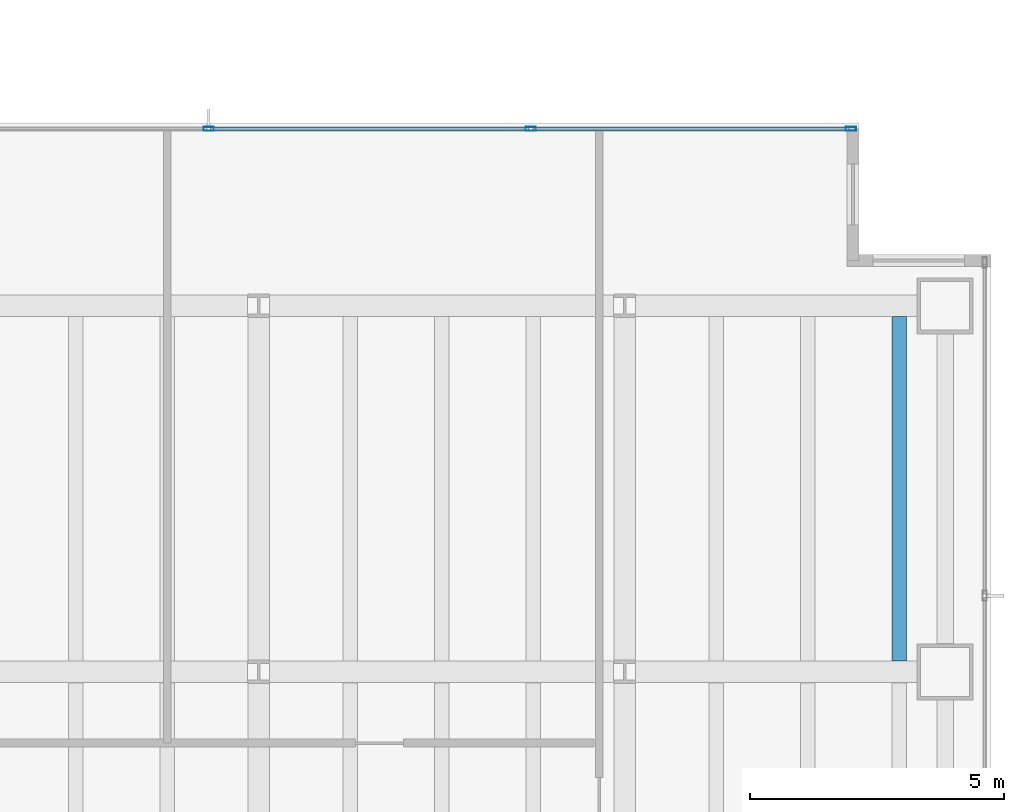
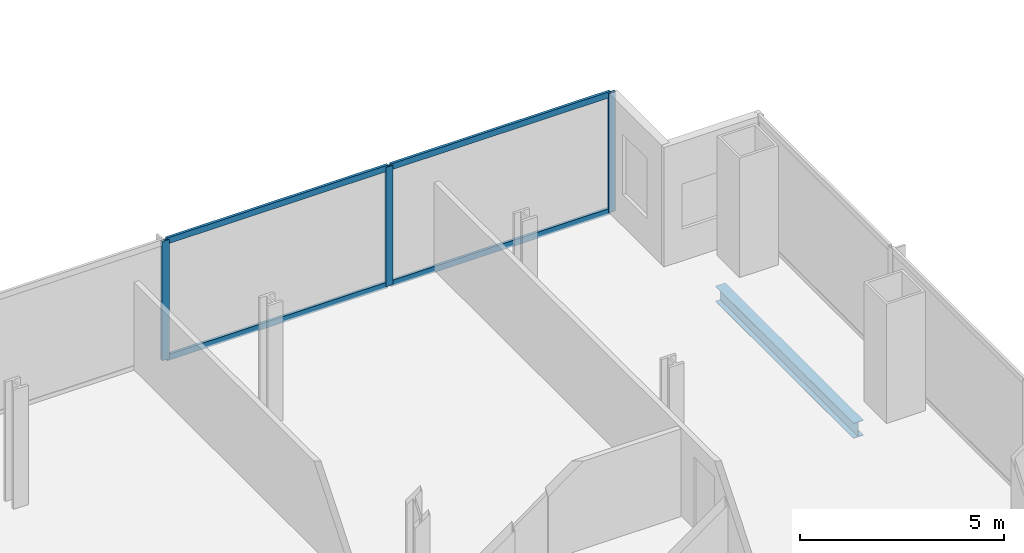
# One storey, part 12 of 25: 7 members, 1 beam, 1 element without a shape of its own.
"""IFC4 building model written with IfcOpenShell, lengths in metres."""

import ifcopenshell
import ifcopenshell.guid

model = None  # the IFC model being written
_history = None  # IfcOwnerHistory: only IFC2X3 demands one
_inside = {}  # id of a spatial element -> (the spatial element, [elements in it])
_under = {}  # id of a project, library or spatial element -> (it, [spatial elements below it])
_declared = {}  # id of a project -> (the project, [libraries it declares])
_typed = {}  # id of a type object -> (the type object, [elements of that type])
_made_of = {}  # id of a material, layer set ... -> (it, [elements and type objects made of it])


def new_model(schema):
    """Start an empty IFC model of exactly this schema.

    Asked for "IFC4X3", IfcOpenShell would pick the latest addendum, in which some entities
    have other attributes; the version numbers below select the first issue.
    IFC2X3 requires an IfcOwnerHistory on every rooted entity: one is made here for all.
    """
    global model, _history
    if schema == "IFC4X3":
        model = ifcopenshell.file(schema_version=(4, 3, 0, 0))
    else:
        model = ifcopenshell.file(schema=schema)
    _inside.clear()
    _under.clear()
    _declared.clear()
    _typed.clear()
    _made_of.clear()
    _history = None
    if model.schema == "IFC2X3":
        org = make("IfcOrganization", Name="unknown")
        user = make(
            "IfcPersonAndOrganization",
            ThePerson=make("IfcPerson", FamilyName="unknown"),
            TheOrganization=org,
        )
        app = make(
            "IfcApplication",
            ApplicationDeveloper=org,
            Version="unknown",
            ApplicationFullName="unknown",
            ApplicationIdentifier="unknown",
        )
        _history = make(
            "IfcOwnerHistory",
            OwningUser=user,
            OwningApplication=app,
            ChangeAction="ADDED",
            CreationDate=0,
        )
    return model


def make(cls, **values):
    """One entity of the class cls with the attributes given. An attribute that is None is left unset."""
    return model.create_entity(
        cls, **{name: value for name, value in values.items() if value is not None}
    )


def rooted(cls, **values):
    """An entity with a GlobalId (a new one), such as an element, a storey or a relation."""
    return make(cls, GlobalId=ifcopenshell.guid.new(), OwnerHistory=_history, **values)


def si_unit(unit_type, name, prefix=None):
    """IfcSIUnit, for example si_unit("LENGTHUNIT", "METRE", prefix="MILLI")."""
    return make("IfcSIUnit", UnitType=unit_type, Prefix=prefix, Name=name)


def assignment(units):
    """IfcUnitAssignment: the units of a project."""
    return None if units is None else make("IfcUnitAssignment", Units=units)


def point(xyz):
    """IfcCartesianPoint."""
    return None if xyz is None else make("IfcCartesianPoint", Coordinates=xyz)


def direction(xyz):
    """IfcDirection."""
    return None if xyz is None else make("IfcDirection", DirectionRatios=xyz)


def frame(location, z_axis=None, x_axis=None):
    """IfcAxis2Placement3D, a coordinate frame: its origin and axes. An axis left out is left unset."""
    return make(
        "IfcAxis2Placement3D",
        Location=point(location),
        Axis=direction(z_axis),
        RefDirection=direction(x_axis),
    )


def frame_2d(location, x_axis=None):
    """IfcAxis2Placement2D, a coordinate frame in the plane: its origin and x axis."""
    return make(
        "IfcAxis2Placement2D", Location=point(location), RefDirection=direction(x_axis)
    )


def origin():
    """The frame at (0, 0, 0) with its axes left unset."""
    return frame((0.0, 0.0, 0.0))


def origin_2d():
    """The frame at (0, 0) in the plane with its x axis left unset."""
    return frame_2d((0.0, 0.0))


def place(relative_to, where):
    """IfcLocalPlacement: puts the frame where relative to a parent placement (None: the world)."""
    return make(
        "IfcLocalPlacement", PlacementRelTo=relative_to, RelativePlacement=where
    )


def context(
    kind, dimensions, precision=None, world=None, true_north=None, identifier=None
):
    """IfcGeometricRepresentationContext, for example the 3D "Model" context."""
    return make(
        "IfcGeometricRepresentationContext",
        ContextIdentifier=identifier,
        ContextType=kind,
        CoordinateSpaceDimension=dimensions,
        Precision=precision,
        WorldCoordinateSystem=world,
        TrueNorth=true_north,
    )


def subcontext(parent, identifier, kind, view, scale=None):
    """IfcGeometricRepresentationSubContext, for example "Body" below "Model"."""
    return make(
        "IfcGeometricRepresentationSubContext",
        ContextIdentifier=identifier,
        ContextType=kind,
        ParentContext=parent,
        TargetScale=scale,
        TargetView=view,
    )


def project(units=None, contexts=None):
    """IfcProject with its units and contexts."""
    return rooted(
        "IfcProject",
        Name="project",
        RepresentationContexts=contexts,
        UnitsInContext=assignment(units),
    )


def spatial(cls, under=None, at=None, **own):
    """A site, building, storey or space (cls), placed at a placement, below another one or the project."""
    s = rooted(cls, ObjectPlacement=at, **own)
    if under is not None:
        _under.setdefault(under.id(), (under, []))[1].append(s)
    return s


def profile(cls, at=None, kind="AREA", **sizes):
    """A parametric profile (cls). Its sizes go by their IFC names, for example OverallWidth=200.0."""
    return make(cls, ProfileType=kind, Position=at, **sizes)


def hollow_rectangle(**sizes):
    """IfcRectangleHollowProfileDef."""
    return profile("IfcRectangleHollowProfileDef", **sizes)


def i_section(**sizes):
    """IfcIShapeProfileDef."""
    return profile("IfcIShapeProfileDef", **sizes)


def extrude(swept, where, along, depth):
    """IfcExtrudedAreaSolid: the profile swept, set in the frame where, extruded along a direction by depth."""
    return make(
        "IfcExtrudedAreaSolid",
        SweptArea=swept,
        Position=where,
        ExtrudedDirection=direction(along),
        Depth=depth,
    )


def shape(context_of_items, identifier, shape_type, items):
    """IfcShapeRepresentation: the items that make up one representation, for example the "Body"."""
    return make(
        "IfcShapeRepresentation",
        ContextOfItems=context_of_items,
        RepresentationIdentifier=identifier,
        RepresentationType=shape_type,
        Items=items,
    )


def material(Name=None, Category=None):
    """IfcMaterial."""
    return make("IfcMaterial", Name=Name, Category=Category)


def material_profile(
    of_material, cross_section, Name=None, Category=None, Priority=None
):
    """IfcMaterialProfile: a cross section and its material."""
    return make(
        "IfcMaterialProfile",
        Name=Name,
        Material=of_material,
        Profile=cross_section,
        Priority=Priority,
        Category=Category,
    )


def profile_set(profiles, Name=None, composite=None):
    """IfcMaterialProfileSet."""
    return make(
        "IfcMaterialProfileSet",
        Name=Name,
        MaterialProfiles=profiles,
        CompositeProfile=composite,
    )


def made_of(thing, what):
    """Note that an element or type object is made of a material, layer set ...; save() writes the relation."""
    if what is not None:
        _made_of.setdefault(what.id(), (what, []))[1].append(thing)
    return thing


def type_object(cls, material=None, **own):
    """A type object (cls), such as IfcWallType, which elements share."""
    return made_of(rooted(cls, **own), material)


def element(
    cls,
    number,
    at=None,
    inside=None,
    cuts=None,
    type_object=None,
    material=None,
    context=None,
    identifier="Body",
    shape_type=None,
    held_by="IfcProductDefinitionShape",
    body=None,
    shapes=None,
    **own,
):
    """One element of the class cls, such as IfcWall. Its Tag is "e" and its number.

    at: its placement. inside: the storey or other place that contains it. cuts: it is an
    opening in that element (IfcRelVoidsElement). A single representation is given by context,
    identifier, shape_type and body (its items); several are given by shapes. held_by: the class
    of the entity that holds the representations. save() writes the other relations.
    """
    e = rooted(cls, Tag="e%d" % number, ObjectPlacement=at, **own)
    if body is not None:
        shapes = [shape(context, identifier, shape_type, body)]
    if shapes is not None:
        e.Representation = make(held_by, Representations=shapes)
    if inside is not None:
        _inside.setdefault(inside.id(), (inside, []))[1].append(e)
    if cuts is not None:
        rooted(
            "IfcRelVoidsElement", RelatingBuildingElement=cuts, RelatedOpeningElement=e
        )
    if type_object is not None:
        _typed.setdefault(type_object.id(), (type_object, []))[1].append(e)
    return made_of(e, material)


def aggregate(whole, parts):
    """IfcRelAggregates: a whole, such as a stair, and the parts it consists of."""
    return rooted("IfcRelAggregates", RelatingObject=whole, RelatedObjects=parts)


def save(model, path):
    """Write the relations noted so far, then the file.

    IfcRelAggregates (storeys below a building ...), IfcRelContainedInSpatialStructure (elements
    in a storey), IfcRelDefinesByType, IfcRelAssociatesMaterial and IfcRelDeclares: one each for
    every whole, place, type object, material and project.
    """
    for whole, parts in _under.values():
        aggregate(whole, parts)
    for where, things in _inside.values():
        rooted(
            "IfcRelContainedInSpatialStructure",
            RelatedElements=things,
            RelatingStructure=where,
        )
    for kind, things in _typed.values():
        rooted("IfcRelDefinesByType", RelatedObjects=things, RelatingType=kind)
    for what, things in _made_of.values():
        rooted("IfcRelAssociatesMaterial", RelatedObjects=things, RelatingMaterial=what)
    for by, libraries in _declared.values():
        rooted("IfcRelDeclares", RelatingContext=by, RelatedDefinitions=libraries)
    model.write(path)


model = new_model("IFC4")

# Units and contexts
model_context = context("Model", 3, precision=1e-05, world=origin(), true_north=direction((0.0, 1.0)))
body_context = subcontext(model_context, "Body", "Model", "MODEL_VIEW")
ifc_project = project(units=[si_unit("LENGTHUNIT", "METRE"), si_unit("AREAUNIT", "SQUARE_METRE"), si_unit("VOLUMEUNIT", "CUBIC_METRE"), si_unit("PLANEANGLEUNIT", "RADIAN"), si_unit("MASSUNIT", "GRAM", prefix="KILO")], contexts=[model_context])

# Site, building, storey
site_placement = place(None, origin())
site = spatial("IfcSite", under=ifc_project, at=site_placement, CompositionType="ELEMENT")
building_placement = place(site_placement, origin())
building = spatial("IfcBuilding", under=site, at=building_placement, Name="Cobrela Telecom Tower", CompositionType="ELEMENT")
storey_placement = place(building_placement, frame((0.0, 0.0, 35.0)))
storey = spatial("IfcBuildingStorey", under=building, at=storey_placement, Name="L08", CompositionType="ELEMENT", Elevation=35.0)

# Beam
ifc_material_1 = material(Name="Steel ASTM A992 Grade 50", Category="steel")
ifc_material_profile_1 = material_profile(ifc_material_1, i_section(OverallWidth=0.281982421875, OverallDepth=0.467041015625, WebThickness=0.01220703125, FlangeThickness=0.01953125, FilletRadius=0.012939453125, at=origin_2d()), Name="W18X86")
ifc_profile_set_1 = profile_set([ifc_material_profile_1], Name="Steel ASTM A992 Grade 50")
beam_type = type_object("IfcBeamType", Name="BM-JOIST-02", PredefinedType="JOIST", material=ifc_profile_set_1)
beam_placement = place(storey_placement, frame((48.60009765625, 14.614501953125, -0.513427734375), z_axis=(0.0, 1.0, 0.0), x_axis=(-1.0, 0.0, 0.0)))
element("IfcBeam", 1, at=beam_placement, inside=storey, type_object=beam_type, Name="L08 Secondary Composite Floor Beam J64", PredefinedType="JOIST", context=body_context, shape_type="SweptSolid", body=[
    extrude(i_section(OverallWidth=0.281982421875, OverallDepth=0.467041015625, WebThickness=0.01220703125, FlangeThickness=0.01953125, FilletRadius=0.012939453125, at=origin_2d()), origin(), (0.0, 0.0, 1.0), 6.77099609375),
])

# Curtain wall, members
ifc_material_2 = material(Name="Anodized Bronze Aluminium 6063-T6", Category="aluminium")
curtain_wall_type = type_object("IfcCurtainWallType", Name="CW-SYS-DATA", PredefinedType="USERDEFINED", material=ifc_material_2)
curtain_wall_placement = place(storey_placement, origin())
curtain_wall = element("IfcCurtainWall", 2, at=curtain_wall_placement, inside=storey, type_object=curtain_wall_type, Name="L08 Unitised Bronze Curtain Wall 11", ObjectType="UNITISED CURTAIN WALL", PredefinedType="USERDEFINED")
ifc_material_profile_2 = material_profile(ifc_material_2, hollow_rectangle(XDim=0.080078125, YDim=0.199951171875, WallThickness=0.00390625, at=origin_2d()), Name="ALU 80x200x4")
ifc_profile_set_2 = profile_set([ifc_material_profile_2], Name="Anodized Bronze Aluminium 6063-T6")
member_type_1 = type_object("IfcMemberType", Name="CW-SYS-DATA-MUL", PredefinedType="MULLION", material=ifc_profile_set_2)
member_1_placement = place(storey_placement, frame((35.0166015625, 25.080078125, 0.0), z_axis=(0.0, 0.0, 1.0), x_axis=(0.0, 1.0, 0.0)))
member_1 = element("IfcMember", 3, at=member_1_placement, type_object=member_type_1, Name="CW-DATA mullion 2", PredefinedType="MULLION", context=body_context, shape_type="SweptSolid", body=[
    extrude(hollow_rectangle(XDim=0.080078125, YDim=0.199951171875, WallThickness=0.00390625, at=origin_2d()), origin(), (0.0, 0.0, 1.0), 3.570068359375),
])
member_2_placement = place(storey_placement, frame((41.353271484375, 25.080078125, 0.0), z_axis=(0.0, 0.0, 1.0), x_axis=(0.0, 1.0, 0.0)))
member_2 = element("IfcMember", 4, at=member_2_placement, type_object=member_type_1, Name="CW-DATA mullion 3", PredefinedType="MULLION", context=body_context, shape_type="SweptSolid", body=[
    extrude(hollow_rectangle(XDim=0.080078125, YDim=0.199951171875, WallThickness=0.00390625, at=origin_2d()), origin(), (0.0, 0.0, 1.0), 3.570068359375),
])
member_3_placement = place(storey_placement, frame((47.64990234375, 25.080078125, 0.0), z_axis=(0.0, 0.0, 1.0), x_axis=(0.0, 1.0, 0.0)))
member_3 = element("IfcMember", 5, at=member_3_placement, type_object=member_type_1, Name="CW-DATA mullion 4", PredefinedType="MULLION", context=body_context, shape_type="SweptSolid", body=[
    extrude(hollow_rectangle(XDim=0.080078125, YDim=0.199951171875, WallThickness=0.00390625, at=origin_2d()), origin(), (0.0, 0.0, 1.0), 3.570068359375),
])
ifc_material_profile_3 = material_profile(ifc_material_2, hollow_rectangle(XDim=0.074951171875, YDim=0.179931640625, WallThickness=0.00390625, at=origin_2d()), Name="ALU 75x180x4")
ifc_profile_set_3 = profile_set([ifc_material_profile_3], Name="Anodized Bronze Aluminium 6063-T6")
member_type_2 = type_object("IfcMemberType", Name="CW-SYS-DATA-TRN", PredefinedType="USERDEFINED", material=ifc_profile_set_3)
member_4_placement = place(storey_placement, frame((35.056640625, 25.080078125, 0.03759765625), z_axis=(1.0, 0.0, 0.0), x_axis=(0.0, 1.0, 0.0)))
member_4 = element("IfcMember", 6, at=member_4_placement, type_object=member_type_2, Name="CW-DATA transom 2.1", ObjectType="TRANSOM", PredefinedType="USERDEFINED", context=body_context, shape_type="SweptSolid", body=[
    extrude(hollow_rectangle(XDim=0.074951171875, YDim=0.179931640625, WallThickness=0.00390625, at=origin_2d()), origin(), (0.0, 0.0, 1.0), 6.256591796875),
])
member_5_placement = place(storey_placement, frame((35.056640625, 25.080078125, 3.532470703125), z_axis=(1.0, 0.0, 0.0), x_axis=(0.0, 1.0, 0.0)))
member_5 = element("IfcMember", 7, at=member_5_placement, type_object=member_type_2, Name="CW-DATA transom 2.2", ObjectType="TRANSOM", PredefinedType="USERDEFINED", context=body_context, shape_type="SweptSolid", body=[
    extrude(hollow_rectangle(XDim=0.074951171875, YDim=0.179931640625, WallThickness=0.00390625, at=origin_2d()), origin(), (0.0, 0.0, 1.0), 6.256591796875),
])
member_6_placement = place(storey_placement, frame((41.393310546875, 25.080078125, 0.03759765625), z_axis=(1.0, 0.0, 0.0), x_axis=(0.0, 1.0, 0.0)))
member_6 = element("IfcMember", 8, at=member_6_placement, type_object=member_type_2, Name="CW-DATA transom 3.1", ObjectType="TRANSOM", PredefinedType="USERDEFINED", context=body_context, shape_type="SweptSolid", body=[
    extrude(hollow_rectangle(XDim=0.074951171875, YDim=0.179931640625, WallThickness=0.00390625, at=origin_2d()), origin(), (0.0, 0.0, 1.0), 6.216796875),
])
member_7_placement = place(storey_placement, frame((41.393310546875, 25.080078125, 3.532470703125), z_axis=(1.0, 0.0, 0.0), x_axis=(0.0, 1.0, 0.0)))
member_7 = element("IfcMember", 9, at=member_7_placement, type_object=member_type_2, Name="CW-DATA transom 3.2", ObjectType="TRANSOM", PredefinedType="USERDEFINED", context=body_context, shape_type="SweptSolid", body=[
    extrude(hollow_rectangle(XDim=0.074951171875, YDim=0.179931640625, WallThickness=0.00390625, at=origin_2d()), origin(), (0.0, 0.0, 1.0), 6.216796875),
])
aggregate(curtain_wall, [member_1, member_2, member_3, member_4, member_5, member_6, member_7])

save(model, "model.ifc")
